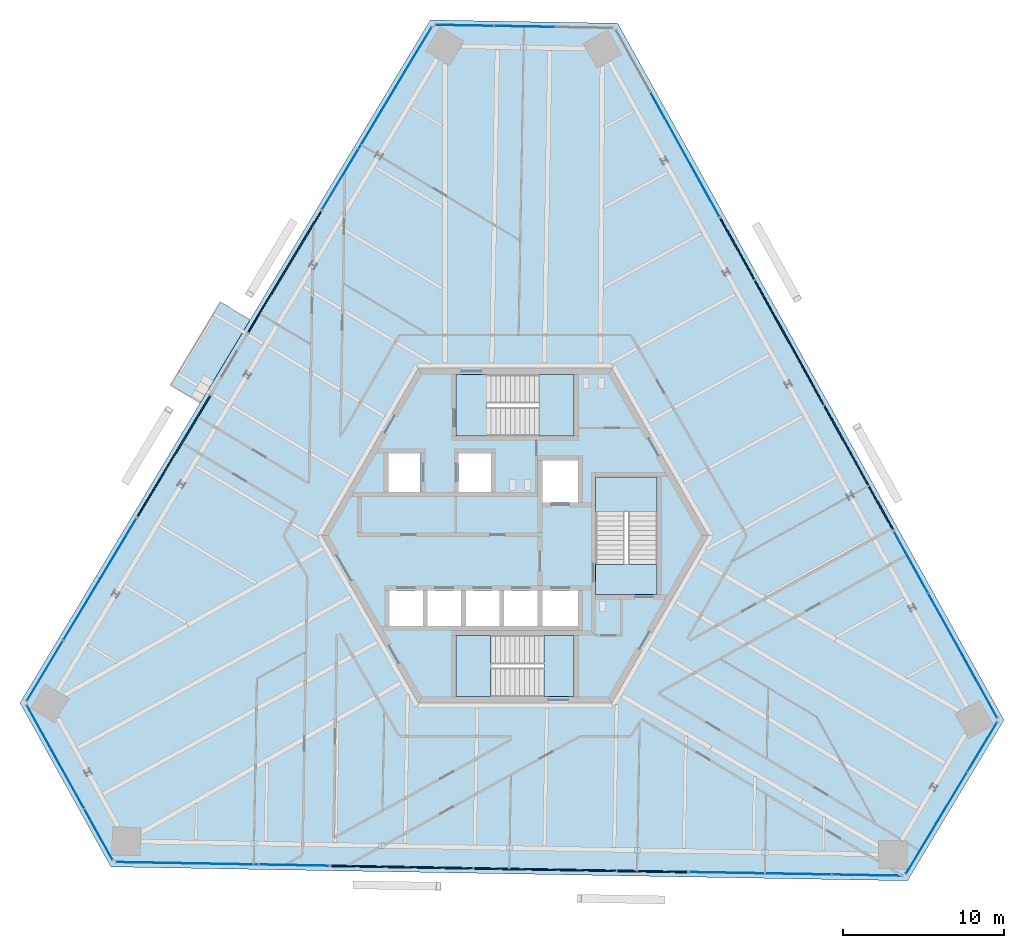
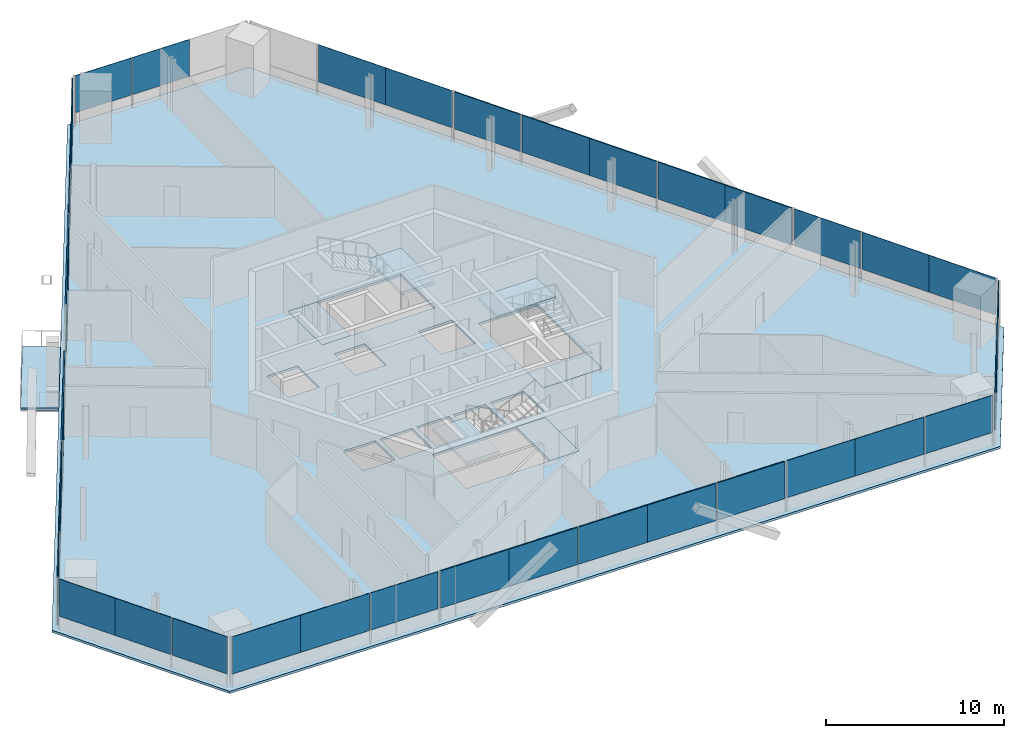
# One storey, part 10 of 18: 39 plates, 8 slabs, 16 elements without a shape of their own.
"""IFC4 building model written with IfcOpenShell, lengths in metres."""

from ifc_helpers import new_model, si_unit, direction, frame, origin, origin_2d, place, context, subcontext, project, spatial, polyline, rectangle, outline, extrude, source, transform, mapped, material, layer, layer_set, type_object, element, aggregate, save


model = new_model("IFC4")

# Units and contexts
model_context = context("Model", 3, precision=1e-05, world=origin(), true_north=direction((0.0, 1.0)))
body_context = subcontext(model_context, "Body", "Model", "MODEL_VIEW")
ifc_project = project(units=[si_unit("LENGTHUNIT", "METRE"), si_unit("AREAUNIT", "SQUARE_METRE"), si_unit("VOLUMEUNIT", "CUBIC_METRE"), si_unit("PLANEANGLEUNIT", "RADIAN"), si_unit("MASSUNIT", "GRAM", prefix="KILO")], contexts=[model_context])

# Site, building, storey
site_placement = place(None, origin())
site = spatial("IfcSite", under=ifc_project, at=site_placement, CompositionType="ELEMENT")
building_placement = place(site_placement, origin())
building = spatial("IfcBuilding", under=site, at=building_placement, Name="Triune Harvest Tower", CompositionType="ELEMENT")
storey_placement = place(building_placement, frame((0.0, 0.0, 190.699951171875)))
storey = spatial("IfcBuildingStorey", under=building, at=storey_placement, Name="L49", CompositionType="ELEMENT", Elevation=190.699951171875)

# Slabs
ifc_material_1 = material(Name="Concrete 40 MPa", Category="concrete")
ifc_layer_1 = layer(ifc_material_1, 0.159912109375)
ifc_layer_set_1 = layer_set([ifc_layer_1], Name="Concrete 40 MPa")
slab_type_1 = type_object("IfcSlabType", Name="BA-1 balcony slab 160", PredefinedType="FLOOR", material=ifc_layer_set_1)
slab_1_placement = place(storey_placement, frame((0.0, 0.0, -0.159912109375)))
element("IfcSlab", 1, at=slab_1_placement, inside=storey, type_object=slab_type_1, Name="Balcony slab B5-F3 L49.6", PredefinedType="FLOOR", context=body_context, shape_type="SweptSolid", body=[
    extrude(outline(polyline([(-16.435791015625, 13.37548828125), (-19.52587890625, 8.232421875), (-21.3671875, 9.338623046875), (-18.27685546875, 14.481689453125), (-16.435791015625, 13.37548828125)])), origin(), (0.0, 0.0, 1.0), 0.159912109375),
])
ifc_material_2 = material(Name="Concrete 40 MPa", Category="concrete")
ifc_layer_2 = layer(ifc_material_2, 0.159912109375)
ifc_layer_set_2 = layer_set([ifc_layer_2], Name="Concrete 40 MPa")
slab_type_2 = type_object("IfcSlabType", Name="SL-1 Composite floor slab 160", PredefinedType="FLOOR", material=ifc_layer_set_2)
shared_shape_1 = source(origin(), body_context, "Body", "SweptSolid", [
    extrude(outline(polyline([(30.324951171875, -11.439208984375), (6.368896484375, 31.77880859375), (-5.256103515625, 31.981689453125), (-30.705810546875, -10.373779296875), (-25.069091796875, -20.542724609375), (24.3369140625, -21.405029296875), (30.324951171875, -11.439208984375)]), holes=[polyline([(-5.72509765625, -5.590087890625), (-5.72509765625, -3.389892578125), (-7.800048828125, -3.389892578125), (-7.800048828125, -5.590087890625), (-5.72509765625, -5.590087890625)]), polyline([(-3.35009765625, -5.590087890625), (-3.35009765625, -3.389892578125), (-5.425048828125, -3.389892578125), (-5.425048828125, -5.590087890625), (-3.35009765625, -5.590087890625)]), polyline([(-0.97509765625, -5.590087890625), (-0.97509765625, -3.389892578125), (-3.050048828125, -3.389892578125), (-3.050048828125, -5.590087890625), (-0.97509765625, -5.590087890625)]), polyline([(1.39990234375, -5.590087890625), (1.39990234375, -3.389892578125), (-0.675048828125, -3.389892578125), (-0.675048828125, -5.590087890625), (1.39990234375, -5.590087890625)]), polyline([(3.89990234375, 2.06005859375), (3.89990234375, 4.659912109375), (1.699951171875, 4.659912109375), (1.699951171875, 2.06005859375), (3.89990234375, 2.06005859375)]), polyline([(3.89990234375, -5.590087890625), (3.89990234375, -3.389892578125), (1.699951171875, -3.389892578125), (1.699951171875, -5.590087890625), (3.89990234375, -5.590087890625)]), polyline([(-5.85009765625, 2.7099609375), (-5.85009765625, 5.110107421875), (-7.85009765625, 5.110107421875), (-7.85009765625, 2.7099609375), (-5.85009765625, 2.7099609375)]), polyline([(-1.5, 2.7099609375), (-1.5, 5.110107421875), (-3.5, 5.110107421875), (-3.5, 2.7099609375), (-1.5, 2.7099609375)]), polyline([(3.64990234375, 6.18994140625), (3.64990234375, 9.989990234375), (-3.64990234375, 9.989990234375), (-3.64990234375, 6.18994140625), (3.64990234375, 6.18994140625)]), polyline([(3.64990234375, -9.989990234375), (3.64990234375, -6.18994140625), (-3.64990234375, -6.18994140625), (-3.64990234375, -9.989990234375), (3.64990234375, -9.989990234375)]), polyline([(8.800048828125, -3.64990234375), (8.800048828125, 3.64990234375), (5.0, 3.64990234375), (5.0, -3.64990234375), (8.800048828125, -3.64990234375)])]), origin(), (0.0, 0.0, 1.0), 0.159912109375),
])
slab_2_placement = place(storey_placement, frame((0.0, 0.0, -0.159912109375)))
element("IfcSlab", 2, at=slab_2_placement, inside=storey, type_object=slab_type_2, Name="slab/L49/1", PredefinedType="FLOOR", context=body_context, shape_type="MappedRepresentation", body=[
    mapped(shared_shape_1, transform((0.0, 0.0, 0.0), scale=1.0)),
])

# Stair, slabs
ifc_material_3 = material(Name="Concrete 40 MPa", Category="concrete")
stair_type = type_object("IfcStairType", Name="Exit stair 1800 half turn", PredefinedType="HALF_TURN_STAIR", material=ifc_material_3)
stair_1_placement = place(storey_placement, origin())
stair_1 = element("IfcStair", 3, at=stair_1_placement, inside=storey, type_object=stair_type, Name="Exit stair north", PredefinedType="HALF_TURN_STAIR")
ifc_material_4 = material(Name="Concrete 40 MPa", Category="concrete")
ifc_layer_3 = layer(ifc_material_4, 0.199951171875)
ifc_layer_set_3 = layer_set([ifc_layer_3], Name="Concrete 40 MPa")
slab_type_3 = type_object("IfcSlabType", Name="Stair landing 200", PredefinedType="LANDING", material=ifc_layer_set_3)
shared_shape_2 = source(origin(), body_context, "Body", "SweptSolid", [
    extrude(outline(polyline([(1.510009765625, 6.18994140625), (3.64990234375, 6.18994140625), (3.64990234375, 9.989990234375), (1.510009765625, 9.989990234375), (1.510009765625, 6.18994140625)])), origin(), (0.0, 0.0, 1.0), 0.199951171875),
])
slab_3_placement = place(storey_placement, frame((0.0, 0.0, 1.60009765625)))
slab_3 = element("IfcSlab", 4, at=slab_3_placement, type_object=slab_type_3, Name="ST-1 landing 2", PredefinedType="LANDING", context=body_context, shape_type="MappedRepresentation", body=[
    mapped(shared_shape_2, transform((0.0, 0.0, 0.0), scale=1.0)),
])
shared_shape_3 = source(origin(), body_context, "Body", "SweptSolid", [
    extrude(outline(polyline([(-3.64990234375, 6.18994140625), (-1.780029296875, 6.18994140625), (-1.780029296875, 9.989990234375), (-3.64990234375, 9.989990234375), (-3.64990234375, 6.18994140625)])), origin(), (0.0, 0.0, 1.0), 0.199951171875),
])
slab_4_placement = place(storey_placement, frame((0.0, 0.0, -0.199951171875)))
slab_4 = element("IfcSlab", 5, at=slab_4_placement, type_object=slab_type_3, Name="ST-1 landing 1", PredefinedType="LANDING", context=body_context, shape_type="MappedRepresentation", body=[
    mapped(shared_shape_3, transform((0.0, 0.0, 0.0), scale=1.0)),
])
aggregate(stair_1, [slab_4, slab_3])

stair_2_placement = place(storey_placement, origin())
stair_2 = element("IfcStair", 6, at=stair_2_placement, inside=storey, type_object=stair_type, Name="Exit stair south", PredefinedType="HALF_TURN_STAIR")
shared_shape_4 = source(origin(), body_context, "Body", "SweptSolid", [
    extrude(outline(polyline([(-1.510009765625, -6.18994140625), (-3.64990234375, -6.18994140625), (-3.64990234375, -9.989990234375), (-1.510009765625, -9.989990234375), (-1.510009765625, -6.18994140625)])), origin(), (0.0, 0.0, 1.0), 0.199951171875),
])
slab_5_placement = place(storey_placement, frame((0.0, 0.0, 1.60009765625)))
slab_5 = element("IfcSlab", 7, at=slab_5_placement, type_object=slab_type_3, Name="ST-2 landing 2", PredefinedType="LANDING", context=body_context, shape_type="MappedRepresentation", body=[
    mapped(shared_shape_4, transform((0.0, 0.0, 0.0), scale=1.0)),
])
shared_shape_5 = source(origin(), body_context, "Body", "SweptSolid", [
    extrude(outline(polyline([(3.64990234375, -6.18994140625), (1.780029296875, -6.18994140625), (1.780029296875, -9.989990234375), (3.64990234375, -9.989990234375), (3.64990234375, -6.18994140625)])), origin(), (0.0, 0.0, 1.0), 0.199951171875),
])
slab_6_placement = place(storey_placement, frame((0.0, 0.0, -0.199951171875)))
slab_6 = element("IfcSlab", 8, at=slab_6_placement, type_object=slab_type_3, Name="ST-2 landing 1", PredefinedType="LANDING", context=body_context, shape_type="MappedRepresentation", body=[
    mapped(shared_shape_5, transform((0.0, 0.0, 0.0), scale=1.0)),
])
aggregate(stair_2, [slab_6, slab_5])

stair_3_placement = place(storey_placement, origin())
stair_3 = element("IfcStair", 9, at=stair_3_placement, inside=storey, type_object=stair_type, Name="Exit stair east", PredefinedType="HALF_TURN_STAIR")
shared_shape_6 = source(origin(), body_context, "Body", "SweptSolid", [
    extrude(outline(polyline([(8.800048828125, 1.510009765625), (8.800048828125, 3.64990234375), (5.0, 3.64990234375), (5.0, 1.510009765625), (8.800048828125, 1.510009765625)])), origin(), (0.0, 0.0, 1.0), 0.199951171875),
])
slab_7_placement = place(storey_placement, frame((0.0, 0.0, 1.60009765625)))
slab_7 = element("IfcSlab", 10, at=slab_7_placement, type_object=slab_type_3, Name="ST-3 landing 2", PredefinedType="LANDING", context=body_context, shape_type="MappedRepresentation", body=[
    mapped(shared_shape_6, transform((0.0, 0.0, 0.0), scale=1.0)),
])
shared_shape_7 = source(origin(), body_context, "Body", "SweptSolid", [
    extrude(outline(polyline([(8.800048828125, -3.64990234375), (8.800048828125, -1.780029296875), (5.0, -1.780029296875), (5.0, -3.64990234375), (8.800048828125, -3.64990234375)])), origin(), (0.0, 0.0, 1.0), 0.199951171875),
])
slab_8_placement = place(storey_placement, frame((0.0, 0.0, -0.199951171875)))
slab_8 = element("IfcSlab", 11, at=slab_8_placement, type_object=slab_type_3, Name="ST-3 landing 1", PredefinedType="LANDING", context=body_context, shape_type="MappedRepresentation", body=[
    mapped(shared_shape_7, transform((0.0, 0.0, 0.0), scale=1.0)),
])
aggregate(stair_3, [slab_8, slab_7])

# Curtain wall, plate
ifc_material_5 = material(Name="Aluminium bronze anodised", Category="aluminium")
curtain_wall_type_1 = type_object("IfcCurtainWallType", Name="CW-1 Tower stick curtain wall", PredefinedType="NOTDEFINED", material=ifc_material_5)
curtain_wall_1_placement = place(storey_placement, origin())
curtain_wall_1 = element("IfcCurtainWall", 12, at=curtain_wall_1_placement, inside=storey, type_object=curtain_wall_type_1, Name="CW-1 B5-F4 L49 run 1")
ifc_material_6 = material(Name="Glass", Category="glass")
ifc_layer_4 = layer(ifc_material_6, 0.031982421875)
ifc_layer_set_4 = layer_set([ifc_layer_4], Name="Glass")
plate_type_1 = type_object("IfcPlateType", Name="GL-1 panel 32", PredefinedType="CURTAIN_PANEL", material=ifc_layer_set_4)
shared_shape_8 = source(origin(), body_context, "Body", "SweptSolid", [
    extrude(rectangle(XDim=3.625, YDim=0.031982421875, at=origin_2d()), origin(), (0.0, 0.0, 1.0), 2.5400390625),
])
plate_1_placement = place(storey_placement, frame((-29.400634765625, -12.109375, 0.900146484375), z_axis=(0.0, 0.0, 1.0), x_axis=(0.484801950362, -0.874623958582, 0.0)))
plate_1 = element("IfcPlate", 13, at=plate_1_placement, type_object=plate_type_1, Name="CW-1 panel B5-F4 1.1", PredefinedType="CURTAIN_PANEL", context=body_context, shape_type="MappedRepresentation", body=[
    mapped(shared_shape_8, transform((0.0, 0.0, 0.0), scale=1.0)),
])

curtain_wall_2_placement = place(storey_placement, origin())
curtain_wall_2 = element("IfcCurtainWall", 14, at=curtain_wall_2_placement, inside=storey, type_object=curtain_wall_type_1, Name="CW-1 B5-F6 L49 run 1")
plate_2_placement = place(storey_placement, frame((25.1875, -19.406982421875, 0.900146484375), z_axis=(0.0, 0.0, 1.0), x_axis=(0.515036685882, 0.857168135313, 0.0)))
plate_2 = element("IfcPlate", 15, at=plate_2_placement, type_object=plate_type_1, Name="CW-1 panel B5-F6 1.1", PredefinedType="CURTAIN_PANEL", context=body_context, shape_type="MappedRepresentation", body=[
    mapped(shared_shape_8, transform((0.0, 0.0, 0.0), scale=1.0)),
])

curtain_wall_3_placement = place(storey_placement, origin())
curtain_wall_3 = element("IfcCurtainWall", 16, at=curtain_wall_3_placement, inside=storey, type_object=curtain_wall_type_1, Name="CW-1 B5-F2 L49 run 1")
shared_shape_9 = source(origin(), body_context, "Body", "SweptSolid", [
    extrude(rectangle(XDim=3.66259765625, YDim=0.031982421875, at=origin_2d()), origin(), (0.0, 0.0, 1.0), 2.5400390625),
])
plate_3_placement = place(storey_placement, frame((0.570068359375, 31.580078125, 0.900146484375), z_axis=(0.0, 0.0, 1.0), x_axis=(-0.999847801404, 0.017446318452, 0.0)))
plate_3 = element("IfcPlate", 17, at=plate_3_placement, type_object=plate_type_1, Name="CW-1 panel B5-F2 1.2", PredefinedType="CURTAIN_PANEL", context=body_context, shape_type="MappedRepresentation", body=[
    mapped(shared_shape_9, transform((0.0, 0.0, 0.0), scale=1.0)),
])

# Plate
plate_4_placement = place(storey_placement, frame((-27.634033203125, -15.29638671875, 0.900146484375), z_axis=(0.0, 0.0, 1.0), x_axis=(0.484801950362, -0.874623958582, 0.0)))
plate_4 = element("IfcPlate", 18, at=plate_4_placement, type_object=plate_type_1, Name="CW-1 panel B5-F4 1.2", PredefinedType="CURTAIN_PANEL", context=body_context, shape_type="MappedRepresentation", body=[
    mapped(shared_shape_9, transform((0.0, 0.0, 0.0), scale=1.0)),
])

plate_5_placement = place(storey_placement, frame((27.064208984375, -16.28369140625, 0.900146484375), z_axis=(0.0, 0.0, 1.0), x_axis=(0.515036685882, 0.857168135313, 0.0)))
plate_5 = element("IfcPlate", 19, at=plate_5_placement, type_object=plate_type_1, Name="CW-1 panel B5-F6 1.2", PredefinedType="CURTAIN_PANEL", context=body_context, shape_type="MappedRepresentation", body=[
    mapped(shared_shape_9, transform((0.0, 0.0, 0.0), scale=1.0)),
])

shared_shape_10 = source(origin(), body_context, "Body", "SweptSolid", [
    extrude(rectangle(XDim=3.587646484375, YDim=0.031982421875, at=origin_2d()), origin(), (0.0, 0.0, 1.0), 2.5400390625),
])
plate_6_placement = place(storey_placement, frame((-3.129638671875, 31.64453125, 0.900146484375), z_axis=(0.0, 0.0, 1.0), x_axis=(-0.999847801404, 0.017446318452, 0.0)))
plate_6 = element("IfcPlate", 20, at=plate_6_placement, type_object=plate_type_1, Name="CW-1 panel B5-F2 1.3", PredefinedType="CURTAIN_PANEL", context=body_context, shape_type="MappedRepresentation", body=[
    mapped(shared_shape_10, transform((0.0, 0.0, 0.0), scale=1.0)),
])

aggregate(curtain_wall_3, [plate_3, plate_6])

plate_7_placement = place(storey_placement, frame((-25.84033203125, -18.532470703125, 0.900146484375), z_axis=(0.0, 0.0, 1.0), x_axis=(0.484801950362, -0.874623958582, 0.0)))
plate_7 = element("IfcPlate", 21, at=plate_7_placement, type_object=plate_type_1, Name="CW-1 panel B5-F4 1.3", PredefinedType="CURTAIN_PANEL", context=body_context, shape_type="MappedRepresentation", body=[
    mapped(shared_shape_10, transform((0.0, 0.0, 0.0), scale=1.0)),
])

aggregate(curtain_wall_1, [plate_1, plate_4, plate_7])

plate_8_placement = place(storey_placement, frame((28.9697265625, -13.112060546875, 0.900146484375), z_axis=(0.0, 0.0, 1.0), x_axis=(0.515036685882, 0.857168135313, 0.0)))
plate_8 = element("IfcPlate", 22, at=plate_8_placement, type_object=plate_type_1, Name="CW-1 panel B5-F6 1.3", PredefinedType="CURTAIN_PANEL", context=body_context, shape_type="MappedRepresentation", body=[
    mapped(shared_shape_10, transform((0.0, 0.0, 0.0), scale=1.0)),
])

aggregate(curtain_wall_2, [plate_2, plate_5, plate_8])

# Curtain wall, plates
ifc_material_7 = material(Name="Aluminium bronze anodised", Category="aluminium")
curtain_wall_type_2 = type_object("IfcCurtainWallType", Name="CW-7 Tower stick curtain wall with insulated spandrel infill", PredefinedType="NOTDEFINED", material=ifc_material_7)
curtain_wall_4_placement = place(storey_placement, origin())
curtain_wall_4 = element("IfcCurtainWall", 23, at=curtain_wall_4_placement, inside=storey, type_object=curtain_wall_type_2, Name="CW-7 B5-F1 L49 run 1001")
ifc_material_8 = material(Name="Insulated spandrel panel, bronze aluminium pan", Category="aluminium")
ifc_layer_5 = layer(ifc_material_8, 0.080078125)
ifc_layer_set_5 = layer_set([ifc_layer_5], Name="Insulated spandrel panel, bronze aluminium pan")
plate_type_2 = type_object("IfcPlateType", Name="SP-1 insulated spandrel panel 80", PredefinedType="CURTAIN_PANEL", material=ifc_layer_set_5)
shared_shape_11 = source(origin(), body_context, "Body", "SweptSolid", [
    extrude(rectangle(XDim=4.40673828125, YDim=0.080078125, at=origin_2d()), origin(), (0.0, 0.0, 1.0), 2.5400390625),
])
plate_9_placement = place(storey_placement, frame((20.248291015625, 6.120849609375, 0.900146484375), z_axis=(0.0, 0.0, 1.0), x_axis=(-0.484809369748, 0.874619845993, 0.0)))
plate_9 = element("IfcPlate", 24, at=plate_9_placement, type_object=plate_type_2, Name="CW-7 panel B5-F1 1001.2", PredefinedType="CURTAIN_PANEL", context=body_context, shape_type="MappedRepresentation", body=[
    mapped(shared_shape_11, transform((0.0, 0.0, 0.0), scale=1.0)),
])
plate_10_placement = place(storey_placement, frame((18.075439453125, 10.040771484375, 0.900146484375), z_axis=(0.0, 0.0, 1.0), x_axis=(-0.484809369748, 0.874619845993, 0.0)))
plate_10 = element("IfcPlate", 25, at=plate_10_placement, type_object=plate_type_2, Name="CW-7 panel B5-F1 1001.3", PredefinedType="CURTAIN_PANEL", context=body_context, shape_type="MappedRepresentation", body=[
    mapped(shared_shape_11, transform((0.0, 0.0, 0.0), scale=1.0)),
])
plate_11_placement = place(storey_placement, frame((15.93896484375, 13.89501953125, 0.900146484375), z_axis=(0.0, 0.0, 1.0), x_axis=(-0.484809369748, 0.874619845993, 0.0)))
plate_11 = element("IfcPlate", 26, at=plate_11_placement, type_object=plate_type_2, Name="CW-7 panel B5-F1 1001.4", PredefinedType="CURTAIN_PANEL", context=body_context, shape_type="MappedRepresentation", body=[
    mapped(shared_shape_11, transform((0.0, 0.0, 0.0), scale=1.0)),
])

curtain_wall_5_placement = place(storey_placement, origin())
curtain_wall_5 = element("IfcCurtainWall", 27, at=curtain_wall_5_placement, inside=storey, type_object=curtain_wall_type_2, Name="CW-7 B5-F5 L49 run 1001")
plate_12_placement = place(storey_placement, frame((-4.8232421875, -20.59619140625, 0.900146484375), z_axis=(0.0, 0.0, 1.0), x_axis=(0.999847785361, -0.017447237873, 0.0)))
plate_12 = element("IfcPlate", 28, at=plate_12_placement, type_object=plate_type_2, Name="CW-7 panel B5-F5 1001.2", PredefinedType="CURTAIN_PANEL", context=body_context, shape_type="MappedRepresentation", body=[
    mapped(shared_shape_11, transform((0.0, 0.0, 0.0), scale=1.0)),
])
plate_13_placement = place(storey_placement, frame((-0.342041015625, -20.67431640625, 0.900146484375), z_axis=(0.0, 0.0, 1.0), x_axis=(0.999847785361, -0.017447237873, 0.0)))
plate_13 = element("IfcPlate", 29, at=plate_13_placement, type_object=plate_type_2, Name="CW-7 panel B5-F5 1001.3", PredefinedType="CURTAIN_PANEL", context=body_context, shape_type="MappedRepresentation", body=[
    mapped(shared_shape_11, transform((0.0, 0.0, 0.0), scale=1.0)),
])
plate_14_placement = place(storey_placement, frame((4.06396484375, -20.751220703125, 0.900146484375), z_axis=(0.0, 0.0, 1.0), x_axis=(0.999847785361, -0.017447237873, 0.0)))
plate_14 = element("IfcPlate", 30, at=plate_14_placement, type_object=plate_type_2, Name="CW-7 panel B5-F5 1001.4", PredefinedType="CURTAIN_PANEL", context=body_context, shape_type="MappedRepresentation", body=[
    mapped(shared_shape_11, transform((0.0, 0.0, 0.0), scale=1.0)),
])

# Curtain wall, plate
curtain_wall_6_placement = place(storey_placement, origin())
curtain_wall_6 = element("IfcCurtainWall", 31, at=curtain_wall_6_placement, inside=storey, type_object=curtain_wall_type_1, Name="CW-1 B5-F1 L49 run 1")
shared_shape_12 = source(origin(), body_context, "Body", "SweptSolid", [
    extrude(rectangle(XDim=4.369384765625, YDim=0.031982421875, at=origin_2d()), origin(), (0.0, 0.0, 1.0), 2.5400390625),
])
plate_15_placement = place(storey_placement, frame((28.83935546875, -9.378173828125, 0.900146484375), z_axis=(0.0, 0.0, 1.0), x_axis=(-0.484807744147, 0.874620747076, 0.0)))
plate_15 = element("IfcPlate", 32, at=plate_15_placement, type_object=plate_type_1, Name="CW-1 panel B5-F1 1.1", PredefinedType="CURTAIN_PANEL", context=body_context, shape_type="MappedRepresentation", body=[
    mapped(shared_shape_12, transform((0.0, 0.0, 0.0), scale=1.0)),
])

curtain_wall_7_placement = place(storey_placement, origin())
curtain_wall_7 = element("IfcCurtainWall", 33, at=curtain_wall_7_placement, inside=storey, type_object=curtain_wall_type_1, Name="CW-1 B5-F1 L49 run 2001")
plate_16_placement = place(storey_placement, frame((11.6025390625, 21.71826171875, 0.900146484375), z_axis=(0.0, 0.0, 1.0), x_axis=(-0.484807744147, 0.874620747076, 0.0)))
plate_16 = element("IfcPlate", 34, at=plate_16_placement, type_object=plate_type_1, Name="CW-1 panel B5-F1 2001.1", PredefinedType="CURTAIN_PANEL", context=body_context, shape_type="MappedRepresentation", body=[
    mapped(shared_shape_12, transform((0.0, 0.0, 0.0), scale=1.0)),
])

curtain_wall_8_placement = place(storey_placement, origin())
curtain_wall_8 = element("IfcCurtainWall", 35, at=curtain_wall_8_placement, inside=storey, type_object=curtain_wall_type_1, Name="CW-1 B5-F5 L49 run 1")
plate_17_placement = place(storey_placement, frame((-22.541259765625, -20.286865234375, 0.900146484375), z_axis=(0.0, 0.0, 1.0), x_axis=(0.999847643937, -0.017455340552, 0.0)))
plate_17 = element("IfcPlate", 36, at=plate_17_placement, type_object=plate_type_1, Name="CW-1 panel B5-F5 1.1", PredefinedType="CURTAIN_PANEL", context=body_context, shape_type="MappedRepresentation", body=[
    mapped(shared_shape_12, transform((0.0, 0.0, 0.0), scale=1.0)),
])

curtain_wall_9_placement = place(storey_placement, origin())
curtain_wall_9 = element("IfcCurtainWall", 37, at=curtain_wall_9_placement, inside=storey, type_object=curtain_wall_type_1, Name="CW-1 B5-F5 L49 run 2001")
plate_18_placement = place(storey_placement, frame((13.00732421875, -20.9072265625, 0.900146484375), z_axis=(0.0, 0.0, 1.0), x_axis=(0.999847643937, -0.017455340552, 0.0)))
plate_18 = element("IfcPlate", 38, at=plate_18_placement, type_object=plate_type_1, Name="CW-1 panel B5-F5 2001.1", PredefinedType="CURTAIN_PANEL", context=body_context, shape_type="MappedRepresentation", body=[
    mapped(shared_shape_12, transform((0.0, 0.0, 0.0), scale=1.0)),
])

# Plate
shared_shape_13 = source(origin(), body_context, "Body", "SweptSolid", [
    extrude(rectangle(XDim=4.40673828125, YDim=0.031982421875, at=origin_2d()), origin(), (0.0, 0.0, 1.0), 2.5400390625),
])
plate_19_placement = place(storey_placement, frame((26.712158203125, -5.540283203125, 0.900146484375), z_axis=(0.0, 0.0, 1.0), x_axis=(-0.484807744147, 0.874620747076, 0.0)))
plate_19 = element("IfcPlate", 39, at=plate_19_placement, type_object=plate_type_1, Name="CW-1 panel B5-F1 1.2", PredefinedType="CURTAIN_PANEL", context=body_context, shape_type="MappedRepresentation", body=[
    mapped(shared_shape_13, transform((0.0, 0.0, 0.0), scale=1.0)),
])

plate_20_placement = place(storey_placement, frame((9.47509765625, 25.55615234375, 0.900146484375), z_axis=(0.0, 0.0, 1.0), x_axis=(-0.484807744147, 0.874620747076, 0.0)))
plate_20 = element("IfcPlate", 40, at=plate_20_placement, type_object=plate_type_1, Name="CW-1 panel B5-F1 2001.2", PredefinedType="CURTAIN_PANEL", context=body_context, shape_type="MappedRepresentation", body=[
    mapped(shared_shape_13, transform((0.0, 0.0, 0.0), scale=1.0)),
])

aggregate(curtain_wall_7, [plate_16, plate_20])

plate_21_placement = place(storey_placement, frame((-18.154052734375, -20.363525390625, 0.900146484375), z_axis=(0.0, 0.0, 1.0), x_axis=(0.999847643937, -0.017455340552, 0.0)))
plate_21 = element("IfcPlate", 41, at=plate_21_placement, type_object=plate_type_1, Name="CW-1 panel B5-F5 1.2", PredefinedType="CURTAIN_PANEL", context=body_context, shape_type="MappedRepresentation", body=[
    mapped(shared_shape_13, transform((0.0, 0.0, 0.0), scale=1.0)),
])

plate_22_placement = place(storey_placement, frame((17.394775390625, -20.98388671875, 0.900146484375), z_axis=(0.0, 0.0, 1.0), x_axis=(0.999847643937, -0.017455340552, 0.0)))
plate_22 = element("IfcPlate", 42, at=plate_22_placement, type_object=plate_type_1, Name="CW-1 panel B5-F5 2001.2", PredefinedType="CURTAIN_PANEL", context=body_context, shape_type="MappedRepresentation", body=[
    mapped(shared_shape_13, transform((0.0, 0.0, 0.0), scale=1.0)),
])

shared_shape_14 = source(origin(), body_context, "Body", "SweptSolid", [
    extrude(rectangle(XDim=4.331787109375, YDim=0.031982421875, at=origin_2d()), origin(), (0.0, 0.0, 1.0), 2.5400390625),
])
plate_23_placement = place(storey_placement, frame((24.5576171875, -1.653076171875, 0.900146484375), z_axis=(0.0, 0.0, 1.0), x_axis=(-0.484807744147, 0.874620747076, 0.0)))
plate_23 = element("IfcPlate", 43, at=plate_23_placement, type_object=plate_type_1, Name="CW-1 panel B5-F1 1.3", PredefinedType="CURTAIN_PANEL", context=body_context, shape_type="MappedRepresentation", body=[
    mapped(shared_shape_14, transform((0.0, 0.0, 0.0), scale=1.0)),
])

aggregate(curtain_wall_6, [plate_15, plate_19, plate_23])

plate_24_placement = place(storey_placement, frame((-13.71044921875, -20.44091796875, 0.900146484375), z_axis=(0.0, 0.0, 1.0), x_axis=(0.999847643937, -0.017455340552, 0.0)))
plate_24 = element("IfcPlate", 44, at=plate_24_placement, type_object=plate_type_1, Name="CW-1 panel B5-F5 1.3", PredefinedType="CURTAIN_PANEL", context=body_context, shape_type="MappedRepresentation", body=[
    mapped(shared_shape_14, transform((0.0, 0.0, 0.0), scale=1.0)),
])

aggregate(curtain_wall_8, [plate_17, plate_21, plate_24])

plate_25_placement = place(storey_placement, frame((21.83837890625, -21.0615234375, 0.900146484375), z_axis=(0.0, 0.0, 1.0), x_axis=(0.999847643937, -0.017455340552, 0.0)))
plate_25 = element("IfcPlate", 45, at=plate_25_placement, type_object=plate_type_1, Name="CW-1 panel B5-F5 2001.3", PredefinedType="CURTAIN_PANEL", context=body_context, shape_type="MappedRepresentation", body=[
    mapped(shared_shape_14, transform((0.0, 0.0, 0.0), scale=1.0)),
])

aggregate(curtain_wall_9, [plate_18, plate_22, plate_25])

# Curtain wall, plates
ifc_material_9 = material(Name="Aluminium bronze anodised", Category="aluminium")
curtain_wall_type_3 = type_object("IfcCurtainWallType", Name="CW-10 Balcony window wall with insulated spandrel infill", PredefinedType="NOTDEFINED", material=ifc_material_9)
curtain_wall_10_placement = place(storey_placement, origin())
curtain_wall_10 = element("IfcCurtainWall", 46, at=curtain_wall_10_placement, inside=storey, type_object=curtain_wall_type_3, Name="CW-10 B5-F3 L49 run 1001")
shared_shape_15 = source(origin(), body_context, "Body", "SweptSolid", [
    extrude(rectangle(XDim=4.36767578125, YDim=0.080078125, at=origin_2d()), origin(), (0.0, 0.0, 1.0), 3.2900390625),
])
plate_26_placement = place(storey_placement, frame((-13.162109375, 18.2412109375, 0.150146484375), z_axis=(0.0, 0.0, 1.0), x_axis=(-0.515037622612, -0.85716757247, 0.0)))
plate_26 = element("IfcPlate", 47, at=plate_26_placement, type_object=plate_type_2, Name="CW-10 panel B5-F3 1001.1", PredefinedType="CURTAIN_PANEL", context=body_context, shape_type="MappedRepresentation", body=[
    mapped(shared_shape_15, transform((0.0, 0.0, 0.0), scale=1.0)),
])
plate_27_placement = place(storey_placement, frame((-15.41162109375, 14.497314453125, 0.150146484375), z_axis=(0.0, 0.0, 1.0), x_axis=(-0.515037622612, -0.85716757247, 0.0)))
plate_27 = element("IfcPlate", 48, at=plate_27_placement, type_object=plate_type_2, Name="CW-10 panel B5-F3 1001.2", PredefinedType="CURTAIN_PANEL", context=body_context, shape_type="MappedRepresentation", body=[
    mapped(shared_shape_15, transform((0.0, 0.0, 0.0), scale=1.0)),
])
aggregate(curtain_wall_10, [plate_26, plate_27])

curtain_wall_11_placement = place(storey_placement, origin())
curtain_wall_11 = element("IfcCurtainWall", 49, at=curtain_wall_11_placement, inside=storey, type_object=curtain_wall_type_3, Name="CW-10 B5-F3 L49 run 2")
plate_28_placement = place(storey_placement, frame((-20.03564453125, 6.801513671875, 0.150146484375), z_axis=(0.0, 0.0, 1.0), x_axis=(-0.515037622612, -0.85716757247, 0.0)))
plate_28 = element("IfcPlate", 50, at=plate_28_placement, type_object=plate_type_2, Name="CW-10 panel B5-F3 2.1", PredefinedType="CURTAIN_PANEL", context=body_context, shape_type="MappedRepresentation", body=[
    mapped(shared_shape_15, transform((0.0, 0.0, 0.0), scale=1.0)),
])
plate_29_placement = place(storey_placement, frame((-22.28515625, 3.057861328125, 0.150146484375), z_axis=(0.0, 0.0, 1.0), x_axis=(-0.515037622612, -0.85716757247, 0.0)))
plate_29 = element("IfcPlate", 51, at=plate_29_placement, type_object=plate_type_2, Name="CW-10 panel B5-F3 2.2", PredefinedType="CURTAIN_PANEL", context=body_context, shape_type="MappedRepresentation", body=[
    mapped(shared_shape_15, transform((0.0, 0.0, 0.0), scale=1.0)),
])
aggregate(curtain_wall_11, [plate_28, plate_29])

# Plate
shared_shape_16 = source(origin(), body_context, "Body", "SweptSolid", [
    extrude(rectangle(XDim=4.369140625, YDim=0.080078125, at=origin_2d()), origin(), (0.0, 0.0, 1.0), 2.5400390625),
])
plate_30_placement = place(storey_placement, frame((22.37548828125, 2.283203125, 0.900146484375), z_axis=(0.0, 0.0, 1.0), x_axis=(-0.484809369748, 0.874619845993, 0.0)))
plate_30 = element("IfcPlate", 52, at=plate_30_placement, type_object=plate_type_2, Name="CW-7 panel B5-F1 1001.1", PredefinedType="CURTAIN_PANEL", context=body_context, shape_type="MappedRepresentation", body=[
    mapped(shared_shape_16, transform((0.0, 0.0, 0.0), scale=1.0)),
])

plate_31_placement = place(storey_placement, frame((-9.21044921875, -20.51953125, 0.900146484375), z_axis=(0.0, 0.0, 1.0), x_axis=(0.999847785361, -0.017447237873, 0.0)))
plate_31 = element("IfcPlate", 53, at=plate_31_placement, type_object=plate_type_2, Name="CW-7 panel B5-F5 1001.1", PredefinedType="CURTAIN_PANEL", context=body_context, shape_type="MappedRepresentation", body=[
    mapped(shared_shape_16, transform((0.0, 0.0, 0.0), scale=1.0)),
])

shared_shape_17 = source(origin(), body_context, "Body", "SweptSolid", [
    extrude(rectangle(XDim=4.331787109375, YDim=0.080078125, at=origin_2d()), origin(), (0.0, 0.0, 1.0), 2.5400390625),
])
plate_32_placement = place(storey_placement, frame((13.784423828125, 17.781982421875, 0.900146484375), z_axis=(0.0, 0.0, 1.0), x_axis=(-0.484809369748, 0.874619845993, 0.0)))
plate_32 = element("IfcPlate", 54, at=plate_32_placement, type_object=plate_type_2, Name="CW-7 panel B5-F1 1001.5", PredefinedType="CURTAIN_PANEL", context=body_context, shape_type="MappedRepresentation", body=[
    mapped(shared_shape_17, transform((0.0, 0.0, 0.0), scale=1.0)),
])

aggregate(curtain_wall_4, [plate_30, plate_9, plate_10, plate_11, plate_32])

plate_33_placement = place(storey_placement, frame((8.507568359375, -20.82861328125, 0.900146484375), z_axis=(0.0, 0.0, 1.0), x_axis=(0.999847785361, -0.017447237873, 0.0)))
plate_33 = element("IfcPlate", 55, at=plate_33_placement, type_object=plate_type_2, Name="CW-7 panel B5-F5 1001.5", PredefinedType="CURTAIN_PANEL", context=body_context, shape_type="MappedRepresentation", body=[
    mapped(shared_shape_17, transform((0.0, 0.0, 0.0), scale=1.0)),
])

aggregate(curtain_wall_5, [plate_31, plate_12, plate_13, plate_14, plate_33])

# Curtain wall, plate
ifc_material_10 = material(Name="Aluminium bronze anodised", Category="aluminium")
curtain_wall_type_4 = type_object("IfcCurtainWallType", Name="CW-6 Balcony window wall", PredefinedType="NOTDEFINED", material=ifc_material_10)
curtain_wall_12_placement = place(storey_placement, origin())
curtain_wall_12 = element("IfcCurtainWall", 56, at=curtain_wall_12_placement, inside=storey, type_object=curtain_wall_type_4, Name="CW-6 B5-F3 L49 run 1")
ifc_material_11 = material(Name="Glass", Category="glass")
ifc_layer_6 = layer(ifc_material_11, 0.030029296875)
ifc_layer_set_6 = layer_set([ifc_layer_6], Name="Glass")
plate_type_3 = type_object("IfcPlateType", Name="GL-6 panel 30", PredefinedType="CURTAIN_PANEL", material=ifc_layer_set_6)
shared_shape_18 = source(origin(), body_context, "Body", "SweptSolid", [
    extrude(rectangle(XDim=4.36767578125, YDim=0.030029296875, at=origin_2d()), origin(), (0.0, 0.0, 1.0), 3.2900390625),
])
plate_34_placement = place(storey_placement, frame((-6.2978515625, 29.665283203125, 0.150146484375), z_axis=(0.0, 0.0, 1.0), x_axis=(-0.515035971956, -0.857168564281, 0.0)))
plate_34 = element("IfcPlate", 57, at=plate_34_placement, type_object=plate_type_3, Name="CW-6 panel B5-F3 1.1", PredefinedType="CURTAIN_PANEL", context=body_context, shape_type="MappedRepresentation", body=[
    mapped(shared_shape_18, transform((0.0, 0.0, 0.0), scale=1.0)),
])

curtain_wall_13_placement = place(storey_placement, origin())
curtain_wall_13 = element("IfcCurtainWall", 58, at=curtain_wall_13_placement, inside=storey, type_object=curtain_wall_type_4, Name="CW-6 B5-F3 L49 run 1002")
plate_35_placement = place(storey_placement, frame((-24.612060546875, -0.814697265625, 0.150146484375), z_axis=(0.0, 0.0, 1.0), x_axis=(-0.515035971956, -0.857168564281, 0.0)))
plate_35 = element("IfcPlate", 59, at=plate_35_placement, type_object=plate_type_3, Name="CW-6 panel B5-F3 1002.1", PredefinedType="CURTAIN_PANEL", context=body_context, shape_type="MappedRepresentation", body=[
    mapped(shared_shape_18, transform((0.0, 0.0, 0.0), scale=1.0)),
])

# Plate
shared_shape_19 = source(origin(), body_context, "Body", "SweptSolid", [
    extrude(rectangle(XDim=4.405029296875, YDim=0.030029296875, at=origin_2d()), origin(), (0.0, 0.0, 1.0), 3.2900390625),
])
plate_36_placement = place(storey_placement, frame((-8.556884765625, 25.905517578125, 0.150146484375), z_axis=(0.0, 0.0, 1.0), x_axis=(-0.515035971956, -0.857168564281, 0.0)))
plate_36 = element("IfcPlate", 60, at=plate_36_placement, type_object=plate_type_3, Name="CW-6 panel B5-F3 1.2", PredefinedType="CURTAIN_PANEL", context=body_context, shape_type="MappedRepresentation", body=[
    mapped(shared_shape_19, transform((0.0, 0.0, 0.0), scale=1.0)),
])

plate_37_placement = place(storey_placement, frame((-26.87109375, -4.574462890625, 0.150146484375), z_axis=(0.0, 0.0, 1.0), x_axis=(-0.515035971956, -0.857168564281, 0.0)))
plate_37 = element("IfcPlate", 61, at=plate_37_placement, type_object=plate_type_3, Name="CW-6 panel B5-F3 1002.2", PredefinedType="CURTAIN_PANEL", context=body_context, shape_type="MappedRepresentation", body=[
    mapped(shared_shape_19, transform((0.0, 0.0, 0.0), scale=1.0)),
])

shared_shape_20 = source(origin(), body_context, "Body", "SweptSolid", [
    extrude(rectangle(XDim=4.330078125, YDim=0.030029296875, at=origin_2d()), origin(), (0.0, 0.0, 1.0), 3.2900390625),
])
plate_38_placement = place(storey_placement, frame((-10.844970703125, 22.097412109375, 0.150146484375), z_axis=(0.0, 0.0, 1.0), x_axis=(-0.515035971956, -0.857168564281, 0.0)))
plate_38 = element("IfcPlate", 62, at=plate_38_placement, type_object=plate_type_3, Name="CW-6 panel B5-F3 1.3", PredefinedType="CURTAIN_PANEL", context=body_context, shape_type="MappedRepresentation", body=[
    mapped(shared_shape_20, transform((0.0, 0.0, 0.0), scale=1.0)),
])

aggregate(curtain_wall_12, [plate_34, plate_36, plate_38])

plate_39_placement = place(storey_placement, frame((-29.1591796875, -8.382568359375, 0.150146484375), z_axis=(0.0, 0.0, 1.0), x_axis=(-0.515035971956, -0.857168564281, 0.0)))
plate_39 = element("IfcPlate", 63, at=plate_39_placement, type_object=plate_type_3, Name="CW-6 panel B5-F3 1002.3", PredefinedType="CURTAIN_PANEL", context=body_context, shape_type="MappedRepresentation", body=[
    mapped(shared_shape_20, transform((0.0, 0.0, 0.0), scale=1.0)),
])

aggregate(curtain_wall_13, [plate_35, plate_37, plate_39])

save(model, "model.ifc")
